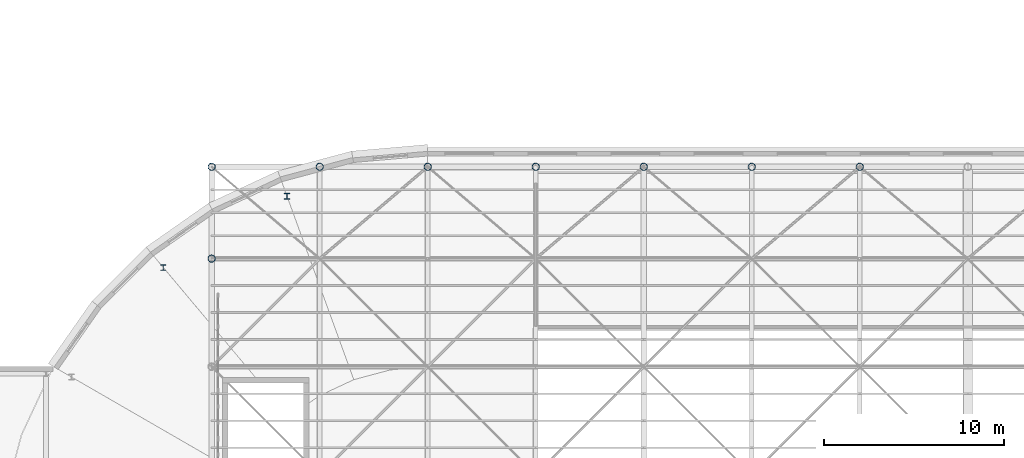
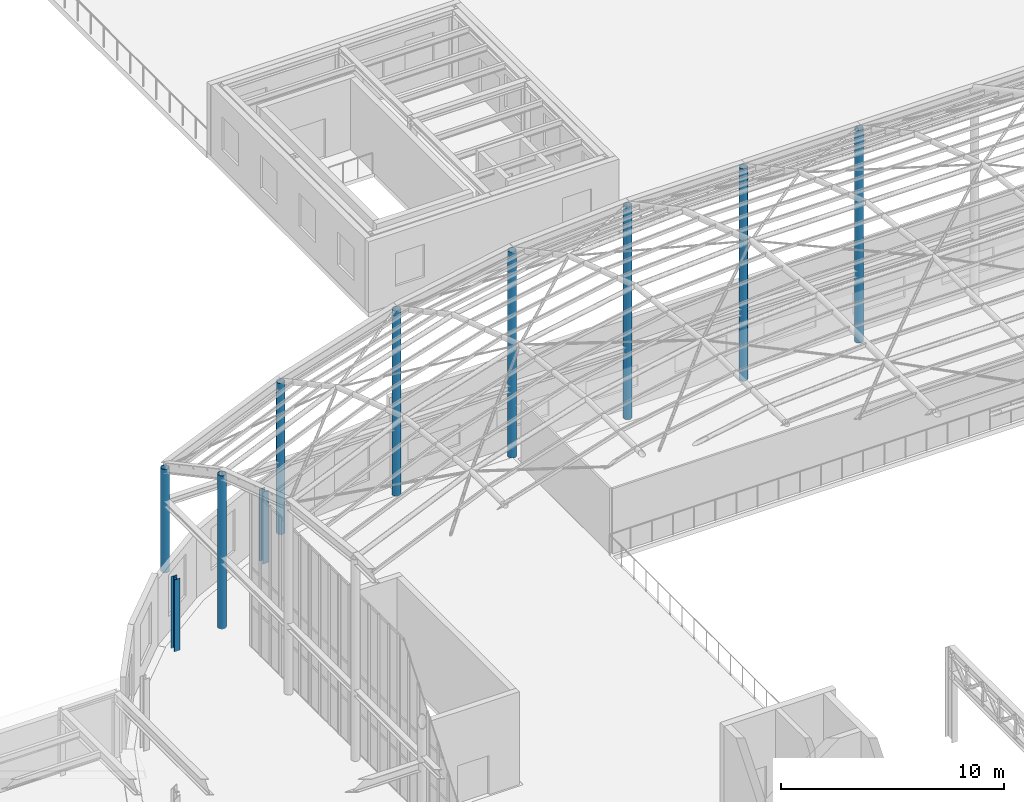
# One storey, part 9 of 75: 10 columns.
"""IFC4 building model written with IfcOpenShell, lengths in metres."""

import ifcopenshell
import ifcopenshell.guid

model = None  # the IFC model being written
_history = None  # IfcOwnerHistory: only IFC2X3 demands one
_inside = {}  # id of a spatial element -> (the spatial element, [elements in it])
_under = {}  # id of a project, library or spatial element -> (it, [spatial elements below it])
_declared = {}  # id of a project -> (the project, [libraries it declares])
_typed = {}  # id of a type object -> (the type object, [elements of that type])
_made_of = {}  # id of a material, layer set ... -> (it, [elements and type objects made of it])


def new_model(schema):
    """Start an empty IFC model of exactly this schema.

    Asked for "IFC4X3", IfcOpenShell would pick the latest addendum, in which some entities
    have other attributes; the version numbers below select the first issue.
    IFC2X3 requires an IfcOwnerHistory on every rooted entity: one is made here for all.
    """
    global model, _history
    if schema == "IFC4X3":
        model = ifcopenshell.file(schema_version=(4, 3, 0, 0))
    else:
        model = ifcopenshell.file(schema=schema)
    _inside.clear()
    _under.clear()
    _declared.clear()
    _typed.clear()
    _made_of.clear()
    _history = None
    if model.schema == "IFC2X3":
        org = make("IfcOrganization", Name="unknown")
        user = make(
            "IfcPersonAndOrganization",
            ThePerson=make("IfcPerson", FamilyName="unknown"),
            TheOrganization=org,
        )
        app = make(
            "IfcApplication",
            ApplicationDeveloper=org,
            Version="unknown",
            ApplicationFullName="unknown",
            ApplicationIdentifier="unknown",
        )
        _history = make(
            "IfcOwnerHistory",
            OwningUser=user,
            OwningApplication=app,
            ChangeAction="ADDED",
            CreationDate=0,
        )
    return model


def make(cls, **values):
    """One entity of the class cls with the attributes given. An attribute that is None is left unset."""
    return model.create_entity(
        cls, **{name: value for name, value in values.items() if value is not None}
    )


def rooted(cls, **values):
    """An entity with a GlobalId (a new one), such as an element, a storey or a relation."""
    return make(cls, GlobalId=ifcopenshell.guid.new(), OwnerHistory=_history, **values)


def si_unit(unit_type, name, prefix=None):
    """IfcSIUnit, for example si_unit("LENGTHUNIT", "METRE", prefix="MILLI")."""
    return make("IfcSIUnit", UnitType=unit_type, Prefix=prefix, Name=name)


def assignment(units):
    """IfcUnitAssignment: the units of a project."""
    return None if units is None else make("IfcUnitAssignment", Units=units)


def point(xyz):
    """IfcCartesianPoint."""
    return None if xyz is None else make("IfcCartesianPoint", Coordinates=xyz)


def direction(xyz):
    """IfcDirection."""
    return None if xyz is None else make("IfcDirection", DirectionRatios=xyz)


def frame(location, z_axis=None, x_axis=None):
    """IfcAxis2Placement3D, a coordinate frame: its origin and axes. An axis left out is left unset."""
    return make(
        "IfcAxis2Placement3D",
        Location=point(location),
        Axis=direction(z_axis),
        RefDirection=direction(x_axis),
    )


def frame_2d(location, x_axis=None):
    """IfcAxis2Placement2D, a coordinate frame in the plane: its origin and x axis."""
    return make(
        "IfcAxis2Placement2D", Location=point(location), RefDirection=direction(x_axis)
    )


def origin():
    """The frame at (0, 0, 0) with its axes left unset."""
    return frame((0.0, 0.0, 0.0))


def origin_2d():
    """The frame at (0, 0) in the plane with its x axis left unset."""
    return frame_2d((0.0, 0.0))


def place(relative_to, where):
    """IfcLocalPlacement: puts the frame where relative to a parent placement (None: the world)."""
    return make(
        "IfcLocalPlacement", PlacementRelTo=relative_to, RelativePlacement=where
    )


def context(
    kind, dimensions, precision=None, world=None, true_north=None, identifier=None
):
    """IfcGeometricRepresentationContext, for example the 3D "Model" context."""
    return make(
        "IfcGeometricRepresentationContext",
        ContextIdentifier=identifier,
        ContextType=kind,
        CoordinateSpaceDimension=dimensions,
        Precision=precision,
        WorldCoordinateSystem=world,
        TrueNorth=true_north,
    )


def subcontext(parent, identifier, kind, view, scale=None):
    """IfcGeometricRepresentationSubContext, for example "Body" below "Model"."""
    return make(
        "IfcGeometricRepresentationSubContext",
        ContextIdentifier=identifier,
        ContextType=kind,
        ParentContext=parent,
        TargetScale=scale,
        TargetView=view,
    )


def project(units=None, contexts=None):
    """IfcProject with its units and contexts."""
    return rooted(
        "IfcProject",
        Name="project",
        RepresentationContexts=contexts,
        UnitsInContext=assignment(units),
    )


def spatial(cls, under=None, at=None, **own):
    """A site, building, storey or space (cls), placed at a placement, below another one or the project."""
    s = rooted(cls, ObjectPlacement=at, **own)
    if under is not None:
        _under.setdefault(under.id(), (under, []))[1].append(s)
    return s


def profile(cls, at=None, kind="AREA", **sizes):
    """A parametric profile (cls). Its sizes go by their IFC names, for example OverallWidth=200.0."""
    return make(cls, ProfileType=kind, Position=at, **sizes)


def hollow_circle(**sizes):
    """IfcCircleHollowProfileDef."""
    return profile("IfcCircleHollowProfileDef", **sizes)


def i_section(**sizes):
    """IfcIShapeProfileDef."""
    return profile("IfcIShapeProfileDef", **sizes)


def extrude(swept, where, along, depth):
    """IfcExtrudedAreaSolid: the profile swept, set in the frame where, extruded along a direction by depth."""
    return make(
        "IfcExtrudedAreaSolid",
        SweptArea=swept,
        Position=where,
        ExtrudedDirection=direction(along),
        Depth=depth,
    )


def shape(context_of_items, identifier, shape_type, items):
    """IfcShapeRepresentation: the items that make up one representation, for example the "Body"."""
    return make(
        "IfcShapeRepresentation",
        ContextOfItems=context_of_items,
        RepresentationIdentifier=identifier,
        RepresentationType=shape_type,
        Items=items,
    )


def material(Name=None, Category=None):
    """IfcMaterial."""
    return make("IfcMaterial", Name=Name, Category=Category)


def material_profile(
    of_material, cross_section, Name=None, Category=None, Priority=None
):
    """IfcMaterialProfile: a cross section and its material."""
    return make(
        "IfcMaterialProfile",
        Name=Name,
        Material=of_material,
        Profile=cross_section,
        Priority=Priority,
        Category=Category,
    )


def profile_set(profiles, Name=None, composite=None):
    """IfcMaterialProfileSet."""
    return make(
        "IfcMaterialProfileSet",
        Name=Name,
        MaterialProfiles=profiles,
        CompositeProfile=composite,
    )


def made_of(thing, what):
    """Note that an element or type object is made of a material, layer set ...; save() writes the relation."""
    if what is not None:
        _made_of.setdefault(what.id(), (what, []))[1].append(thing)
    return thing


def type_object(cls, material=None, **own):
    """A type object (cls), such as IfcWallType, which elements share."""
    return made_of(rooted(cls, **own), material)


def element(
    cls,
    number,
    at=None,
    inside=None,
    cuts=None,
    type_object=None,
    material=None,
    context=None,
    identifier="Body",
    shape_type=None,
    held_by="IfcProductDefinitionShape",
    body=None,
    shapes=None,
    **own,
):
    """One element of the class cls, such as IfcWall. Its Tag is "e" and its number.

    at: its placement. inside: the storey or other place that contains it. cuts: it is an
    opening in that element (IfcRelVoidsElement). A single representation is given by context,
    identifier, shape_type and body (its items); several are given by shapes. held_by: the class
    of the entity that holds the representations. save() writes the other relations.
    """
    e = rooted(cls, Tag="e%d" % number, ObjectPlacement=at, **own)
    if body is not None:
        shapes = [shape(context, identifier, shape_type, body)]
    if shapes is not None:
        e.Representation = make(held_by, Representations=shapes)
    if inside is not None:
        _inside.setdefault(inside.id(), (inside, []))[1].append(e)
    if cuts is not None:
        rooted(
            "IfcRelVoidsElement", RelatingBuildingElement=cuts, RelatedOpeningElement=e
        )
    if type_object is not None:
        _typed.setdefault(type_object.id(), (type_object, []))[1].append(e)
    return made_of(e, material)


def aggregate(whole, parts):
    """IfcRelAggregates: a whole, such as a stair, and the parts it consists of."""
    return rooted("IfcRelAggregates", RelatingObject=whole, RelatedObjects=parts)


def save(model, path):
    """Write the relations noted so far, then the file.

    IfcRelAggregates (storeys below a building ...), IfcRelContainedInSpatialStructure (elements
    in a storey), IfcRelDefinesByType, IfcRelAssociatesMaterial and IfcRelDeclares: one each for
    every whole, place, type object, material and project.
    """
    for whole, parts in _under.values():
        aggregate(whole, parts)
    for where, things in _inside.values():
        rooted(
            "IfcRelContainedInSpatialStructure",
            RelatedElements=things,
            RelatingStructure=where,
        )
    for kind, things in _typed.values():
        rooted("IfcRelDefinesByType", RelatedObjects=things, RelatingType=kind)
    for what, things in _made_of.values():
        rooted("IfcRelAssociatesMaterial", RelatedObjects=things, RelatingMaterial=what)
    for by, libraries in _declared.values():
        rooted("IfcRelDeclares", RelatingContext=by, RelatedDefinitions=libraries)
    model.write(path)


model = new_model("IFC4")

# Units and contexts
model_context = context("Model", 3, precision=1e-05, world=origin(), true_north=direction((0.0, 1.0)))
body_context = subcontext(model_context, "Body", "Model", "MODEL_VIEW")
ifc_project = project(units=[si_unit("LENGTHUNIT", "METRE"), si_unit("AREAUNIT", "SQUARE_METRE"), si_unit("VOLUMEUNIT", "CUBIC_METRE"), si_unit("PLANEANGLEUNIT", "RADIAN"), si_unit("MASSUNIT", "GRAM", prefix="KILO")], contexts=[model_context])

# Site, building, storey
site_placement = place(None, origin())
site = spatial("IfcSite", under=ifc_project, at=site_placement, CompositionType="ELEMENT")
building_placement = place(site_placement, origin())
building = spatial("IfcBuilding", under=site, at=building_placement, Name="Kolvaren Corner Interchange", CompositionType="ELEMENT")
storey_placement = place(building_placement, frame((0.0, 0.0, 10.5)))
storey = spatial("IfcBuildingStorey", under=building, at=storey_placement, Name="L03", CompositionType="ELEMENT", Elevation=10.5)

# Columns
ifc_material_1 = material(Name="Steel S355", Category="steel")
ifc_material_profile_1 = material_profile(ifc_material_1, hollow_circle(Radius=0.203125, WallThickness=0.01611328125, at=origin_2d()), Name="CHS 406.4x16.0")
ifc_profile_set_1 = profile_set([ifc_material_profile_1], Name="Steel S355")
column_type_1 = type_object("IfcColumnType", Name="COL-CHS406", PredefinedType="COLUMN", material=ifc_profile_set_1)
column_1_placement = place(storey_placement, frame((60.0, 71.10009765625, 0.0), z_axis=(0.0, 0.0, 1.0), x_axis=(1.0, 0.0, 0.0)))
element("IfcColumn", 1, at=column_1_placement, inside=storey, type_object=column_type_1, Name="Storey L03 Structural Column 0482", PredefinedType="COLUMN", context=body_context, shape_type="SweptSolid", body=[
    extrude(hollow_circle(Radius=0.203125, WallThickness=0.01611328125, at=origin_2d()), origin(), (0.0, 0.0, 1.0), 10.1650390625),
])
column_2_placement = place(storey_placement, frame((66.0, 71.10009765625, 0.0), z_axis=(0.0, 0.0, 1.0), x_axis=(1.0, 0.0, 0.0)))
element("IfcColumn", 2, at=column_2_placement, inside=storey, type_object=column_type_1, Name="Storey L03 Structural Column 0502", PredefinedType="COLUMN", context=body_context, shape_type="SweptSolid", body=[
    extrude(hollow_circle(Radius=0.203125, WallThickness=0.01611328125, at=origin_2d()), origin(), (0.0, 0.0, 1.0), 11.2900390625),
])
for number, where, z_axis, x_axis, name in (
    (3, (72.0, 71.10009765625, 0.0), (0.0, 0.0, 1.0), (1.0, 0.0, 0.0), "Storey L03 Structural Column 0522"),
    (4, (78.0, 71.10009765625, 0.0), (0.0, 0.0, 1.0), (1.0, 0.0, 0.0), "Storey L03 Structural Column 0542"),
    (5, (84.0, 71.10009765625, 0.0), (0.0, 0.0, 1.0), (1.0, 0.0, 0.0), "Storey L03 Structural Column 0562"),
):
    element("IfcColumn", number, at=place(storey_placement, frame(where, z_axis=z_axis, x_axis=x_axis)), inside=storey, type_object=column_type_1, Name=name, PredefinedType="COLUMN", context=body_context, shape_type="SweptSolid", body=[
        extrude(hollow_circle(Radius=0.203125, WallThickness=0.01611328125, at=origin_2d()), origin(), (0.0, 0.0, 1.0), 11.6650390625),
    ])
column_3_placement = place(storey_placement, frame((48.0, 66.0, 0.0), z_axis=(0.0, 0.0, 1.0), x_axis=(1.0, 0.0, 0.0)))
element("IfcColumn", 6, at=column_3_placement, inside=storey, type_object=column_type_1, Name="Storey L03 Structural Column 0708", PredefinedType="COLUMN", context=body_context, shape_type="SweptSolid", body=[
    extrude(hollow_circle(Radius=0.203125, WallThickness=0.01611328125, at=origin_2d()), origin(), (0.0, 0.0, 1.0), 8.4130859375),
])
column_4_placement = place(storey_placement, frame((48.0, 71.10009765625, 0.0), z_axis=(0.0, 0.0, 1.0), x_axis=(1.0, 0.0, 0.0)))
element("IfcColumn", 7, at=column_4_placement, inside=storey, type_object=column_type_1, Name="Storey L03 Structural Column 0712", PredefinedType="COLUMN", context=body_context, shape_type="SweptSolid", body=[
    extrude(hollow_circle(Radius=0.203125, WallThickness=0.01611328125, at=origin_2d()), origin(), (0.0, 0.0, 1.0), 5.6650390625),
])
column_5_placement = place(storey_placement, frame((54.0, 71.10009765625, 0.0), z_axis=(0.0, 0.0, 1.0), x_axis=(1.0, 0.0, 0.0)))
element("IfcColumn", 8, at=column_5_placement, inside=storey, type_object=column_type_1, Name="Storey L03 Structural Column 0729", PredefinedType="COLUMN", context=body_context, shape_type="SweptSolid", body=[
    extrude(hollow_circle(Radius=0.203125, WallThickness=0.01611328125, at=origin_2d()), origin(), (0.0, 0.0, 1.0), 8.2900390625),
])
ifc_material_2 = material(Name="Steel S355", Category="steel")
ifc_material_profile_2 = material_profile(ifc_material_2, i_section(OverallWidth=0.300048828125, OverallDepth=0.320068359375, WebThickness=0.011474609375, FlangeThickness=0.0205078125, FilletRadius=0.027099609375, at=origin_2d()), Name="HEB 320")
ifc_profile_set_2 = profile_set([ifc_material_profile_2], Name="Steel S355")
column_type_2 = type_object("IfcColumnType", Name="COL-HEB320", PredefinedType="COLUMN", material=ifc_profile_set_2)
for number, where, z_axis, x_axis, name in (
    (9, (52.18505859375, 69.471923828125, 0.0), (0.0, 0.0, 1.0), (1.0, 0.0, 0.0), "Storey L03 Structural Column 0786"),
    (10, (45.31201171875, 65.50390625, 0.0), (0.0, 0.0, 1.0), (1.0, 0.0, 0.0), "Storey L03 Structural Column 0790"),
):
    element("IfcColumn", number, at=place(storey_placement, frame(where, z_axis=z_axis, x_axis=x_axis)), inside=storey, type_object=column_type_2, Name=name, PredefinedType="COLUMN", context=body_context, shape_type="SweptSolid", body=[
        extrude(i_section(OverallWidth=0.300048828125, OverallDepth=0.320068359375, WebThickness=0.011474609375, FlangeThickness=0.0205078125, FilletRadius=0.027099609375, at=origin_2d()), origin(), (0.0, 0.0, 1.0), 3.949951171875),
    ])

save(model, "model.ifc")
